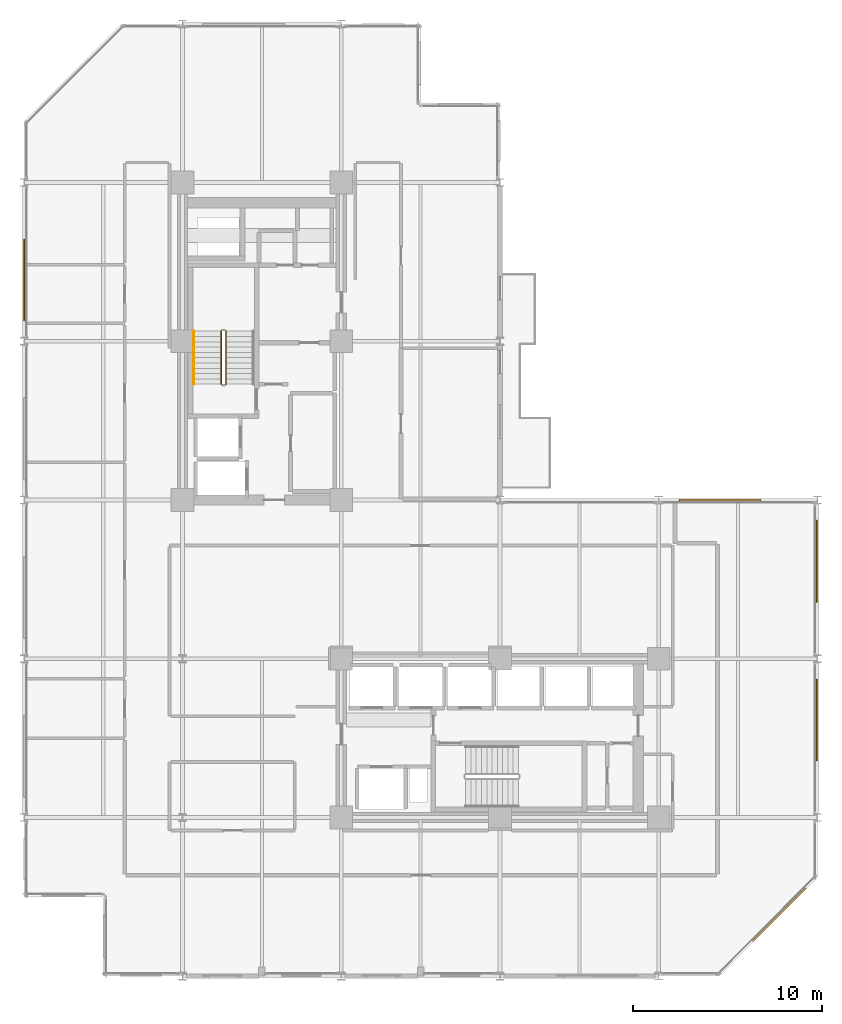
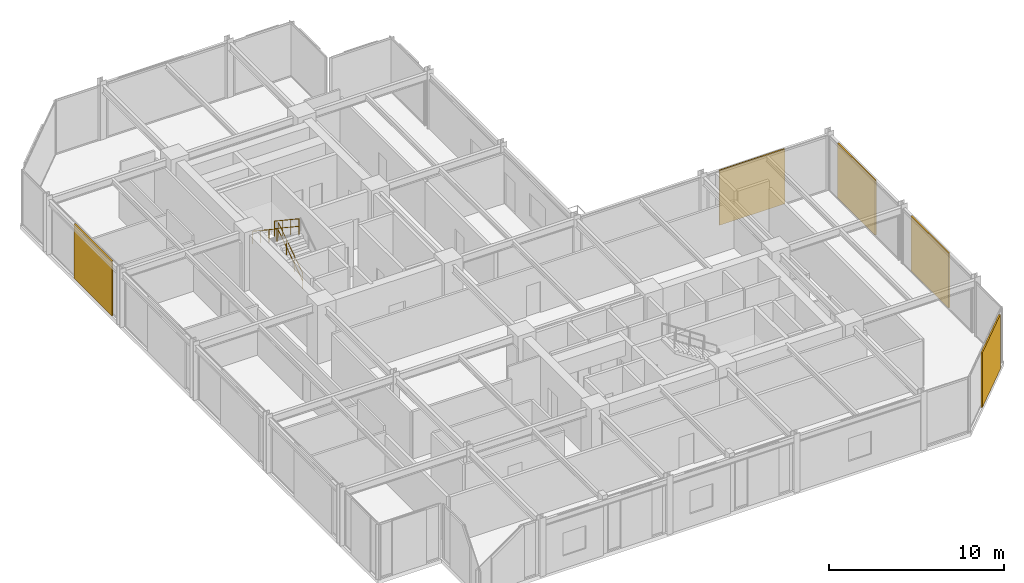
# One storey, part 28 of 29: 5 coverings, 3 railings.
"""IFC4 building model written with IfcOpenShell, lengths in metres."""

from ifc_helpers import new_model, si_unit, direction, frame, origin, origin_2d, place, context, subcontext, project, spatial, rectangle, circle, extrude, material, layer, layer_set, type_object, element, save


model = new_model("IFC4")

# Units and contexts
model_context = context("Model", 3, precision=1e-05, world=origin(), true_north=direction((0.0, 1.0)))
body_context = subcontext(model_context, "Body", "Model", "MODEL_VIEW")
ifc_project = project(units=[si_unit("LENGTHUNIT", "METRE"), si_unit("AREAUNIT", "SQUARE_METRE"), si_unit("VOLUMEUNIT", "CUBIC_METRE"), si_unit("PLANEANGLEUNIT", "RADIAN"), si_unit("MASSUNIT", "GRAM", prefix="KILO")], contexts=[model_context])

# Site, building, storey
site_placement = place(None, origin())
site = spatial("IfcSite", under=ifc_project, at=site_placement, CompositionType="ELEMENT")
building_placement = place(site_placement, origin())
building = spatial("IfcBuilding", under=site, at=building_placement, Name="Nerrivon Quay Data Exchange", CompositionType="ELEMENT")
storey_placement = place(building_placement, frame((0.0, 0.0, 133.60009765625)))
storey = spatial("IfcBuildingStorey", under=building, at=storey_placement, Name="L31", CompositionType="ELEMENT", Elevation=133.60009765625)

# Coverings
ifc_material_1 = material(Name="Architectural terracotta ceramic", Category="masonry")
ifc_layer = layer(ifc_material_1, 0.090087890625)
ifc_layer_set = layer_set([ifc_layer], Name="Architectural terracotta ceramic")
covering_type = type_object("IfcCoveringType", Name="COV-SCR-TERR", PredefinedType="CLADDING", material=ifc_layer_set)
covering_placement = place(storey_placement, frame((39.9921875, 3.255859375, 0.0), z_axis=(0.0, 0.0, 1.0), x_axis=(-0.707106781187, -0.707106781187, 0.0)))
element("IfcCovering", 1, at=covering_placement, inside=storey, type_object=covering_type, Name="L31 Perforated Terracotta SOLAR SCREEN Cassette", PredefinedType="CLADDING", context=body_context, shape_type="SweptSolid", body=[
    extrude(rectangle(XDim=3.970947265625, YDim=0.090087890625, at=origin_2d()), origin(), (0.0, 0.0, 1.0), 3.824951171875),
])
for number, where, z_axis, x_axis, name in (
    (2, (0.044921875, 36.840087890625, 0.0), (0.0, 0.0, 1.0), (0.0, 1.0, 0.0), "L31 Perforated Terracotta SOLAR SCREEN Cassette"),
    (3, (36.840087890625, 25.155029296875, 0.0), (0.0, 0.0, 1.0), (1.0, 0.0, 0.0), "L31 Perforated Terracotta SOLAR SCREEN Cassette"),
    (4, (41.955078125, 21.9599609375, 0.0), (0.0, 0.0, 1.0), (0.0, -1.0, 0.0), "L31 Perforated Terracotta SOLAR SCREEN Cassette"),
    (5, (41.955078125, 13.56005859375, 0.0), (0.0, 0.0, 1.0), (0.0, -1.0, 0.0), "L31 Perforated Terracotta SOLAR SCREEN Cassette"),
):
    element("IfcCovering", number, at=place(storey_placement, frame(where, z_axis=z_axis, x_axis=x_axis)), inside=storey, type_object=covering_type, Name=name, PredefinedType="CLADDING", context=body_context, shape_type="SweptSolid", body=[
        extrude(rectangle(XDim=4.320068359375, YDim=0.090087890625, at=origin_2d()), origin(), (0.0, 0.0, 1.0), 3.824951171875),
    ])

# Railings
ifc_material_2 = material(Name="Steel Grade C350L0 (350 MPa)", Category="steel")
railing_type_1 = type_object("IfcRailingType", Name="RAIL-HAND-HR1", PredefinedType="HANDRAIL", material=ifc_material_2)
railing_1_placement = place(storey_placement, frame((9.0, 34.1298828125, 2.236328125)))
element("IfcRailing", 6, at=railing_1_placement, inside=storey, type_object=railing_type_1, Name="L31 ST01 stair handrail 2", PredefinedType="HANDRAIL", context=body_context, shape_type="SweptSolid", body=[
    extrude(circle(Radius=0.02392578125, at=origin_2d()), frame((0.0, 0.0, 0.8759765625), z_axis=(0.0, -0.832463268671, 0.554080234545), x_axis=(1.0, 0.0, 0.0)), (0.0, 0.0, 1.0), 3.36328125),
    extrude(circle(Radius=0.02099609375, at=origin_2d()), origin(), (0.0, 0.0, 1.0), 0.851806640625),
    extrude(circle(Radius=0.02099609375, at=origin_2d()), frame((0.0, -0.933349609375, 0.62109375)), (0.0, 0.0, 1.0), 0.851806640625),
    extrude(circle(Radius=0.02099609375, at=origin_2d()), frame((0.0, -1.866455078125, 1.242431640625)), (0.0, 0.0, 1.0), 0.851806640625),
    extrude(circle(Radius=0.02099609375, at=origin_2d()), frame((0.0, -2.7998046875, 1.863525390625)), (0.0, 0.0, 1.0), 0.851806640625),
])
railing_type_2 = type_object("IfcRailingType", Name="RAIL-STAIR-GR1", PredefinedType="BALUSTRADE", material=ifc_material_2)
railing_2_placement = place(storey_placement, frame((10.699951171875, 31.330078125, 0.186279296875)))
element("IfcRailing", 7, at=railing_2_placement, inside=storey, type_object=railing_type_2, Name="L31 ST01 stair guard 1", PredefinedType="BALUSTRADE", context=body_context, shape_type="SweptSolid", body=[
    extrude(circle(Radius=0.02392578125, at=origin_2d()), frame((0.0, 0.0, 1.076171875), z_axis=(0.0, 0.832463268671, 0.554080234545), x_axis=(-1.0, 0.0, 0.0)), (0.0, 0.0, 1.0), 3.36328125),
    extrude(circle(Radius=0.02392578125, at=origin_2d()), frame((0.0, 0.0, 0.550048828125), z_axis=(0.0, 0.832463268671, 0.554080234545), x_axis=(-1.0, 0.0, 0.0)), (0.0, 0.0, 1.0), 3.36328125),
    extrude(circle(Radius=0.02099609375, at=origin_2d()), origin(), (0.0, 0.0, 1.0), 1.052001953125),
    extrude(circle(Radius=0.02099609375, at=origin_2d()), frame((0.0, 0.933349609375, 0.62109375)), (0.0, 0.0, 1.0), 1.052001953125),
    extrude(circle(Radius=0.02099609375, at=origin_2d()), frame((0.0, 1.866455078125, 1.242431640625)), (0.0, 0.0, 1.0), 1.052001953125),
    extrude(circle(Radius=0.02099609375, at=origin_2d()), frame((0.0, 2.7998046875, 1.863525390625)), (0.0, 0.0, 1.0), 1.052001953125),
])
railing_3_placement = place(storey_placement, frame((10.449951171875, 34.1298828125, 2.236328125)))
element("IfcRailing", 8, at=railing_3_placement, inside=storey, type_object=railing_type_2, Name="L31 ST01 stair guard 3", PredefinedType="BALUSTRADE", context=body_context, shape_type="SweptSolid", body=[
    extrude(circle(Radius=0.02392578125, at=origin_2d()), frame((0.0, 0.0, 1.076171875), z_axis=(0.0, -0.832463268671, 0.554080234545), x_axis=(1.0, 0.0, 0.0)), (0.0, 0.0, 1.0), 3.36328125),
    extrude(circle(Radius=0.02392578125, at=origin_2d()), frame((0.0, 0.0, 0.550048828125), z_axis=(0.0, -0.832463268671, 0.554080234545), x_axis=(1.0, 0.0, 0.0)), (0.0, 0.0, 1.0), 3.36328125),
    extrude(circle(Radius=0.02099609375, at=origin_2d()), origin(), (0.0, 0.0, 1.0), 1.052001953125),
    extrude(circle(Radius=0.02099609375, at=origin_2d()), frame((0.0, -0.933349609375, 0.62109375)), (0.0, 0.0, 1.0), 1.052001953125),
    extrude(circle(Radius=0.02099609375, at=origin_2d()), frame((0.0, -1.866455078125, 1.242431640625)), (0.0, 0.0, 1.0), 1.052001953125),
    extrude(circle(Radius=0.02099609375, at=origin_2d()), frame((0.0, -2.7998046875, 1.863525390625)), (0.0, 0.0, 1.0), 1.052001953125),
])

save(model, "model.ifc")
